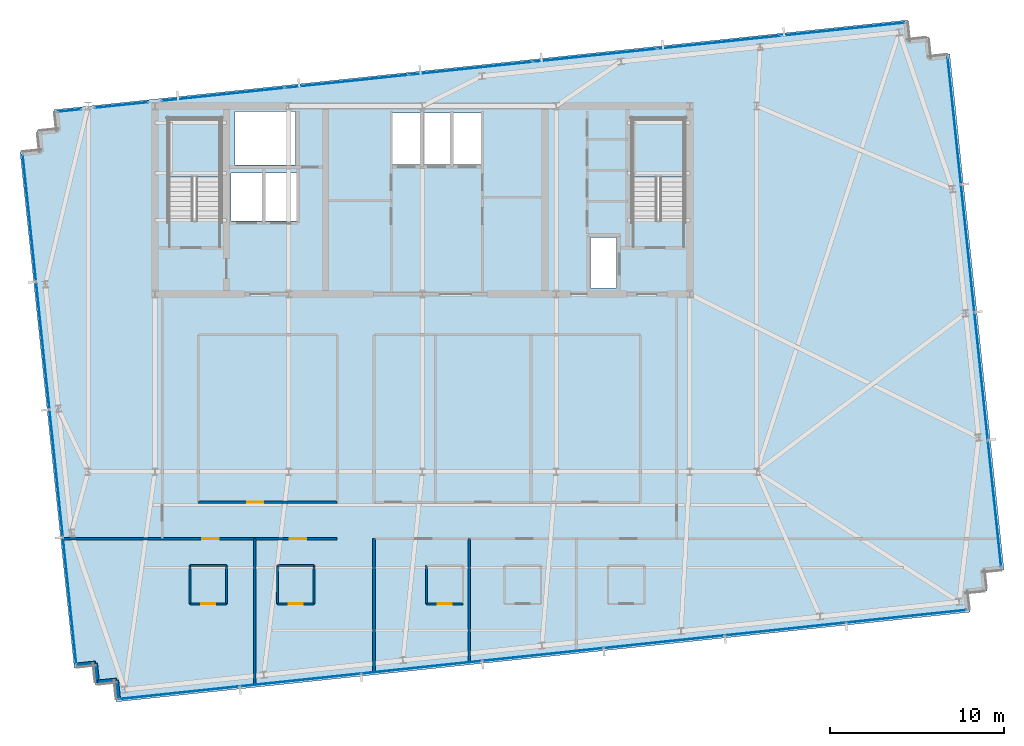
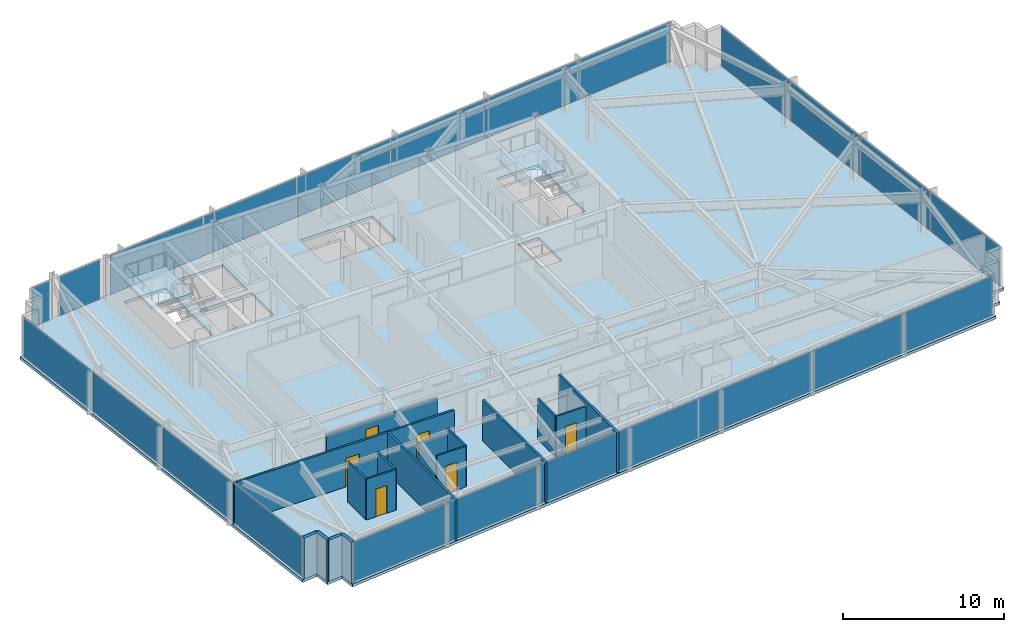
# One storey, part 26 of 33: 23 plates, 19 walls, 6 doors, 3 slabs, 6 openings, 8 elements without a shape of their own.
"""IFC4 building model written with IfcOpenShell, lengths in metres."""

import ifcopenshell
import ifcopenshell.guid

model = None  # the IFC model being written
_history = None  # IfcOwnerHistory: only IFC2X3 demands one
_inside = {}  # id of a spatial element -> (the spatial element, [elements in it])
_under = {}  # id of a project, library or spatial element -> (it, [spatial elements below it])
_declared = {}  # id of a project -> (the project, [libraries it declares])
_typed = {}  # id of a type object -> (the type object, [elements of that type])
_made_of = {}  # id of a material, layer set ... -> (it, [elements and type objects made of it])


def new_model(schema):
    """Start an empty IFC model of exactly this schema.

    Asked for "IFC4X3", IfcOpenShell would pick the latest addendum, in which some entities
    have other attributes; the version numbers below select the first issue.
    IFC2X3 requires an IfcOwnerHistory on every rooted entity: one is made here for all.
    """
    global model, _history
    if schema == "IFC4X3":
        model = ifcopenshell.file(schema_version=(4, 3, 0, 0))
    else:
        model = ifcopenshell.file(schema=schema)
    _inside.clear()
    _under.clear()
    _declared.clear()
    _typed.clear()
    _made_of.clear()
    _history = None
    if model.schema == "IFC2X3":
        org = make("IfcOrganization", Name="unknown")
        user = make(
            "IfcPersonAndOrganization",
            ThePerson=make("IfcPerson", FamilyName="unknown"),
            TheOrganization=org,
        )
        app = make(
            "IfcApplication",
            ApplicationDeveloper=org,
            Version="unknown",
            ApplicationFullName="unknown",
            ApplicationIdentifier="unknown",
        )
        _history = make(
            "IfcOwnerHistory",
            OwningUser=user,
            OwningApplication=app,
            ChangeAction="ADDED",
            CreationDate=0,
        )
    return model


def make(cls, **values):
    """One entity of the class cls with the attributes given. An attribute that is None is left unset."""
    return model.create_entity(
        cls, **{name: value for name, value in values.items() if value is not None}
    )


def rooted(cls, **values):
    """An entity with a GlobalId (a new one), such as an element, a storey or a relation."""
    return make(cls, GlobalId=ifcopenshell.guid.new(), OwnerHistory=_history, **values)


def si_unit(unit_type, name, prefix=None):
    """IfcSIUnit, for example si_unit("LENGTHUNIT", "METRE", prefix="MILLI")."""
    return make("IfcSIUnit", UnitType=unit_type, Prefix=prefix, Name=name)


def assignment(units):
    """IfcUnitAssignment: the units of a project."""
    return None if units is None else make("IfcUnitAssignment", Units=units)


def point(xyz):
    """IfcCartesianPoint."""
    return None if xyz is None else make("IfcCartesianPoint", Coordinates=xyz)


def direction(xyz):
    """IfcDirection."""
    return None if xyz is None else make("IfcDirection", DirectionRatios=xyz)


def frame(location, z_axis=None, x_axis=None):
    """IfcAxis2Placement3D, a coordinate frame: its origin and axes. An axis left out is left unset."""
    return make(
        "IfcAxis2Placement3D",
        Location=point(location),
        Axis=direction(z_axis),
        RefDirection=direction(x_axis),
    )


def frame_2d(location, x_axis=None):
    """IfcAxis2Placement2D, a coordinate frame in the plane: its origin and x axis."""
    return make(
        "IfcAxis2Placement2D", Location=point(location), RefDirection=direction(x_axis)
    )


def origin():
    """The frame at (0, 0, 0) with its axes left unset."""
    return frame((0.0, 0.0, 0.0))


def origin_2d():
    """The frame at (0, 0) in the plane with its x axis left unset."""
    return frame_2d((0.0, 0.0))


def place(relative_to, where):
    """IfcLocalPlacement: puts the frame where relative to a parent placement (None: the world)."""
    return make(
        "IfcLocalPlacement", PlacementRelTo=relative_to, RelativePlacement=where
    )


def context(
    kind, dimensions, precision=None, world=None, true_north=None, identifier=None
):
    """IfcGeometricRepresentationContext, for example the 3D "Model" context."""
    return make(
        "IfcGeometricRepresentationContext",
        ContextIdentifier=identifier,
        ContextType=kind,
        CoordinateSpaceDimension=dimensions,
        Precision=precision,
        WorldCoordinateSystem=world,
        TrueNorth=true_north,
    )


def subcontext(parent, identifier, kind, view, scale=None):
    """IfcGeometricRepresentationSubContext, for example "Body" below "Model"."""
    return make(
        "IfcGeometricRepresentationSubContext",
        ContextIdentifier=identifier,
        ContextType=kind,
        ParentContext=parent,
        TargetScale=scale,
        TargetView=view,
    )


def project(units=None, contexts=None):
    """IfcProject with its units and contexts."""
    return rooted(
        "IfcProject",
        Name="project",
        RepresentationContexts=contexts,
        UnitsInContext=assignment(units),
    )


def spatial(cls, under=None, at=None, **own):
    """A site, building, storey or space (cls), placed at a placement, below another one or the project."""
    s = rooted(cls, ObjectPlacement=at, **own)
    if under is not None:
        _under.setdefault(under.id(), (under, []))[1].append(s)
    return s


def polyline(points):
    """IfcPolyline through the points."""
    return make("IfcPolyline", Points=[point(p) for p in points])


def profile(cls, at=None, kind="AREA", **sizes):
    """A parametric profile (cls). Its sizes go by their IFC names, for example OverallWidth=200.0."""
    return make(cls, ProfileType=kind, Position=at, **sizes)


def rectangle(**sizes):
    """IfcRectangleProfileDef."""
    return profile("IfcRectangleProfileDef", **sizes)


def outline(outer, holes=None, kind="AREA"):
    """IfcArbitraryClosedProfileDef: a profile drawn as a closed curve; with holes, ...WithVoids."""
    if holes is None:
        return make("IfcArbitraryClosedProfileDef", ProfileType=kind, OuterCurve=outer)
    return make(
        "IfcArbitraryProfileDefWithVoids",
        ProfileType=kind,
        OuterCurve=outer,
        InnerCurves=holes,
    )


def extrude(swept, where, along, depth):
    """IfcExtrudedAreaSolid: the profile swept, set in the frame where, extruded along a direction by depth."""
    return make(
        "IfcExtrudedAreaSolid",
        SweptArea=swept,
        Position=where,
        ExtrudedDirection=direction(along),
        Depth=depth,
    )


def shape(context_of_items, identifier, shape_type, items):
    """IfcShapeRepresentation: the items that make up one representation, for example the "Body"."""
    return make(
        "IfcShapeRepresentation",
        ContextOfItems=context_of_items,
        RepresentationIdentifier=identifier,
        RepresentationType=shape_type,
        Items=items,
    )


def material(Name=None, Category=None):
    """IfcMaterial."""
    return make("IfcMaterial", Name=Name, Category=Category)


def layer(
    of_material, thickness, ventilated=None, Name=None, Category=None, Priority=None
):
    """IfcMaterialLayer: one layer of a wall or slab, of a material (None: an air gap)."""
    return make(
        "IfcMaterialLayer",
        Material=of_material,
        LayerThickness=thickness,
        IsVentilated=ventilated,
        Name=Name,
        Category=Category,
        Priority=Priority,
    )


def layer_set(layers, Name=None):
    """IfcMaterialLayerSet."""
    return make("IfcMaterialLayerSet", MaterialLayers=layers, LayerSetName=Name)


def made_of(thing, what):
    """Note that an element or type object is made of a material, layer set ...; save() writes the relation."""
    if what is not None:
        _made_of.setdefault(what.id(), (what, []))[1].append(thing)
    return thing


def type_object(cls, material=None, **own):
    """A type object (cls), such as IfcWallType, which elements share."""
    return made_of(rooted(cls, **own), material)


def element(
    cls,
    number,
    at=None,
    inside=None,
    cuts=None,
    type_object=None,
    material=None,
    context=None,
    identifier="Body",
    shape_type=None,
    held_by="IfcProductDefinitionShape",
    body=None,
    shapes=None,
    **own,
):
    """One element of the class cls, such as IfcWall. Its Tag is "e" and its number.

    at: its placement. inside: the storey or other place that contains it. cuts: it is an
    opening in that element (IfcRelVoidsElement). A single representation is given by context,
    identifier, shape_type and body (its items); several are given by shapes. held_by: the class
    of the entity that holds the representations. save() writes the other relations.
    """
    e = rooted(cls, Tag="e%d" % number, ObjectPlacement=at, **own)
    if body is not None:
        shapes = [shape(context, identifier, shape_type, body)]
    if shapes is not None:
        e.Representation = make(held_by, Representations=shapes)
    if inside is not None:
        _inside.setdefault(inside.id(), (inside, []))[1].append(e)
    if cuts is not None:
        rooted(
            "IfcRelVoidsElement", RelatingBuildingElement=cuts, RelatedOpeningElement=e
        )
    if type_object is not None:
        _typed.setdefault(type_object.id(), (type_object, []))[1].append(e)
    return made_of(e, material)


def fill(opening, filler):
    """IfcRelFillsElement: the door or window that sits in an opening."""
    return rooted(
        "IfcRelFillsElement",
        RelatingOpeningElement=opening,
        RelatedBuildingElement=filler,
    )


def aggregate(whole, parts):
    """IfcRelAggregates: a whole, such as a stair, and the parts it consists of."""
    return rooted("IfcRelAggregates", RelatingObject=whole, RelatedObjects=parts)


def save(model, path):
    """Write the relations noted so far, then the file.

    IfcRelAggregates (storeys below a building ...), IfcRelContainedInSpatialStructure (elements
    in a storey), IfcRelDefinesByType, IfcRelAssociatesMaterial and IfcRelDeclares: one each for
    every whole, place, type object, material and project.
    """
    for whole, parts in _under.values():
        aggregate(whole, parts)
    for where, things in _inside.values():
        rooted(
            "IfcRelContainedInSpatialStructure",
            RelatedElements=things,
            RelatingStructure=where,
        )
    for kind, things in _typed.values():
        rooted("IfcRelDefinesByType", RelatedObjects=things, RelatingType=kind)
    for what, things in _made_of.values():
        rooted("IfcRelAssociatesMaterial", RelatedObjects=things, RelatingMaterial=what)
    for by, libraries in _declared.values():
        rooted("IfcRelDeclares", RelatingContext=by, RelatedDefinitions=libraries)
    model.write(path)


model = new_model("IFC4")

# Units and contexts
model_context = context("Model", 3, precision=1e-05, world=origin(), true_north=direction((0.0, 1.0)))
body_context = subcontext(model_context, "Body", "Model", "MODEL_VIEW")
ifc_project = project(units=[si_unit("LENGTHUNIT", "METRE"), si_unit("AREAUNIT", "SQUARE_METRE"), si_unit("VOLUMEUNIT", "CUBIC_METRE"), si_unit("PLANEANGLEUNIT", "RADIAN"), si_unit("MASSUNIT", "GRAM", prefix="KILO")], contexts=[model_context])

# Site, building, storey
site_placement = place(None, origin())
site = spatial("IfcSite", under=ifc_project, at=site_placement, CompositionType="ELEMENT")
building_placement = place(site_placement, origin())
building = spatial("IfcBuilding", under=site, at=building_placement, Name="Yelkora Congress Tower", CompositionType="ELEMENT")
storey_placement = place(building_placement, frame((0.0, 0.0, 234.199951171875)))
storey = spatial("IfcBuildingStorey", under=building, at=storey_placement, Name="L65", CompositionType="ELEMENT", Elevation=234.199951171875)

# Curtain wall, plates
ifc_material_1 = material(Name="Anodised aluminium and insulated glass", Category="aluminium")
curtain_wall_type = type_object("IfcCurtainWallType", Name="CW-SYS-B4", PredefinedType="NOTDEFINED", material=ifc_material_1)
curtain_wall_1_placement = place(storey_placement, origin())
curtain_wall_1 = element("IfcCurtainWall", 1, at=curtain_wall_1_placement, inside=storey, type_object=curtain_wall_type, Name="L65 Unitised Curtain Wall 5", PredefinedType="NOTDEFINED")
ifc_material_2 = material(Name="Triple-silver diplomatic glass unit B4", Category="glass")
ifc_layer_1 = layer(ifc_material_2, 0.035888671875)
ifc_layer_set_1 = layer_set([ifc_layer_1], Name="Triple-silver diplomatic glass unit B4")
plate_type = type_object("IfcPlateType", Name="PLT-PN-B4", PredefinedType="CURTAIN_PANEL", material=ifc_layer_set_1)
plate_1_placement = place(storey_placement, frame((18.139404296875, 17.7724609375, 0.06005859375), z_axis=(0.0, 0.0, 1.0), x_axis=(-0.104526079034, 0.994522145958, 0.0)))
plate_1 = element("IfcPlate", 2, at=plate_1_placement, type_object=plate_type, Name="CW-B4 panel 1.1", PredefinedType="CURTAIN_PANEL", context=body_context, shape_type="SweptSolid", body=[
    extrude(rectangle(XDim=7.282470703125, YDim=0.035888671875, at=origin_2d()), origin(), (0.0, 0.0, 1.0), 2.9599609375),
])
plate_2_placement = place(storey_placement, frame((17.36962890625, 25.095703125, 0.06005859375), z_axis=(0.0, 0.0, 1.0), x_axis=(-0.104526079034, 0.994522145958, 0.0)))
plate_2 = element("IfcPlate", 3, at=plate_2_placement, type_object=plate_type, Name="CW-B4 panel 2.1", PredefinedType="CURTAIN_PANEL", context=body_context, shape_type="SweptSolid", body=[
    extrude(rectangle(XDim=7.31494140625, YDim=0.035888671875, at=origin_2d()), origin(), (0.0, 0.0, 1.0), 2.9599609375),
])
plate_3_placement = place(storey_placement, frame((16.59814453125, 32.435302734375, 0.06005859375), z_axis=(0.0, 0.0, 1.0), x_axis=(-0.104526079034, 0.994522145958, 0.0)))
plate_3 = element("IfcPlate", 4, at=plate_3_placement, type_object=plate_type, Name="CW-B4 panel 3.1", PredefinedType="CURTAIN_PANEL", context=body_context, shape_type="SweptSolid", body=[
    extrude(rectangle(XDim=7.31494140625, YDim=0.035888671875, at=origin_2d()), origin(), (0.0, 0.0, 1.0), 2.9599609375),
])
plate_4_placement = place(storey_placement, frame((15.82861328125, 39.7587890625, 0.06005859375), z_axis=(0.0, 0.0, 1.0), x_axis=(-0.104526079034, 0.994522145958, 0.0)))
plate_4 = element("IfcPlate", 5, at=plate_4_placement, type_object=plate_type, Name="CW-B4 panel 4.1", PredefinedType="CURTAIN_PANEL", context=body_context, shape_type="SweptSolid", body=[
    extrude(rectangle(XDim=7.282470703125, YDim=0.035888671875, at=origin_2d()), origin(), (0.0, 0.0, 1.0), 2.9599609375),
])
aggregate(curtain_wall_1, [plate_1, plate_2, plate_3, plate_4])

# Curtain wall, plate
curtain_wall_2_placement = place(storey_placement, origin())
curtain_wall_2 = element("IfcCurtainWall", 6, at=curtain_wall_2_placement, inside=storey, type_object=curtain_wall_type, Name="L65 Unitised Curtain Wall 10 (1)", PredefinedType="NOTDEFINED")
plate_5_placement = place(storey_placement, frame((18.136474609375, 45.940185546875, 0.06005859375), z_axis=(0.0, 0.0, 1.0), x_axis=(0.994523910137, 0.104509292244, 0.0)))
plate_5 = element("IfcPlate", 7, at=plate_5_placement, type_object=plate_type, Name="CW-B4 panel 1.1", PredefinedType="CURTAIN_PANEL", context=body_context, shape_type="SweptSolid", body=[
    extrude(rectangle(XDim=1.35302734375, YDim=0.035888671875, at=origin_2d()), origin(), (0.0, 0.0, 1.0), 2.9599609375),
])
aggregate(curtain_wall_2, [plate_5])

curtain_wall_3_placement = place(storey_placement, origin())
curtain_wall_3 = element("IfcCurtainWall", 8, at=curtain_wall_3_placement, inside=storey, type_object=curtain_wall_type, Name="L65 Unitised Curtain Wall 10 (2)", PredefinedType="NOTDEFINED")
plate_6_placement = place(storey_placement, frame((21.1201171875, 46.253662109375, 0.06005859375), z_axis=(0.0, 0.0, 1.0), x_axis=(0.994524239868, 0.104506154437, 0.0)))
plate_6 = element("IfcPlate", 9, at=plate_6_placement, type_object=plate_type, Name="CW-B4 panel 1.1", PredefinedType="CURTAIN_PANEL", context=body_context, shape_type="SweptSolid", body=[
    extrude(rectangle(XDim=3.075439453125, YDim=0.035888671875, at=origin_2d()), origin(), (0.0, 0.0, 1.0), 2.9599609375),
])
aggregate(curtain_wall_3, [plate_6])

# Curtain wall, plates
curtain_wall_4_placement = place(storey_placement, origin())
curtain_wall_4 = element("IfcCurtainWall", 10, at=curtain_wall_4_placement, inside=storey, type_object=curtain_wall_type, Name="L65 Unitised Curtain Wall 10 (3)", PredefinedType="NOTDEFINED")
plate_7_placement = place(storey_placement, frame((26.947509765625, 46.8662109375, 0.06005859375), z_axis=(0.0, 0.0, 1.0), x_axis=(0.994521973066, 0.104527724021, 0.0)))
plate_7 = element("IfcPlate", 11, at=plate_7_placement, type_object=plate_type, Name="CW-B4 panel 1.1", PredefinedType="CURTAIN_PANEL", context=body_context, shape_type="SweptSolid", body=[
    extrude(rectangle(XDim=7.072509765625, YDim=0.035888671875, at=origin_2d()), origin(), (0.0, 0.0, 1.0), 2.9599609375),
])
plate_8_placement = place(storey_placement, frame((34.06201171875, 47.614013671875, 0.06005859375), z_axis=(0.0, 0.0, 1.0), x_axis=(0.994521973066, 0.104527724021, 0.0)))
plate_8 = element("IfcPlate", 12, at=plate_8_placement, type_object=plate_type, Name="CW-B4 panel 2.1", PredefinedType="CURTAIN_PANEL", context=body_context, shape_type="SweptSolid", body=[
    extrude(rectangle(XDim=7.10498046875, YDim=0.035888671875, at=origin_2d()), origin(), (0.0, 0.0, 1.0), 2.9599609375),
])
plate_9_placement = place(storey_placement, frame((41.19287109375, 48.363525390625, 0.06005859375), z_axis=(0.0, 0.0, 1.0), x_axis=(0.994521973066, 0.104527724021, 0.0)))
plate_9 = element("IfcPlate", 13, at=plate_9_placement, type_object=plate_type, Name="CW-B4 panel 3.1", PredefinedType="CURTAIN_PANEL", context=body_context, shape_type="SweptSolid", body=[
    extrude(rectangle(XDim=7.10498046875, YDim=0.035888671875, at=origin_2d()), origin(), (0.0, 0.0, 1.0), 2.9599609375),
])
plate_10_placement = place(storey_placement, frame((48.32373046875, 49.113037109375, 0.06005859375), z_axis=(0.0, 0.0, 1.0), x_axis=(0.994521973066, 0.104527724021, 0.0)))
plate_10 = element("IfcPlate", 14, at=plate_10_placement, type_object=plate_type, Name="CW-B4 panel 4.1", PredefinedType="CURTAIN_PANEL", context=body_context, shape_type="SweptSolid", body=[
    extrude(rectangle(XDim=7.10498046875, YDim=0.035888671875, at=origin_2d()), origin(), (0.0, 0.0, 1.0), 2.9599609375),
])
plate_11_placement = place(storey_placement, frame((55.454345703125, 49.8623046875, 0.06005859375), z_axis=(0.0, 0.0, 1.0), x_axis=(0.994521973066, 0.104527724021, 0.0)))
plate_11 = element("IfcPlate", 15, at=plate_11_placement, type_object=plate_type, Name="CW-B4 panel 5.1", PredefinedType="CURTAIN_PANEL", context=body_context, shape_type="SweptSolid", body=[
    extrude(rectangle(XDim=7.10498046875, YDim=0.035888671875, at=origin_2d()), origin(), (0.0, 0.0, 1.0), 2.9599609375),
])
plate_12_placement = place(storey_placement, frame((62.56884765625, 50.610107421875, 0.06005859375), z_axis=(0.0, 0.0, 1.0), x_axis=(0.994521973066, 0.104527724021, 0.0)))
plate_12 = element("IfcPlate", 16, at=plate_12_placement, type_object=plate_type, Name="CW-B4 panel 6.1", PredefinedType="CURTAIN_PANEL", context=body_context, shape_type="SweptSolid", body=[
    extrude(rectangle(XDim=7.072509765625, YDim=0.035888671875, at=origin_2d()), origin(), (0.0, 0.0, 1.0), 2.9599609375),
])
aggregate(curtain_wall_4, [plate_7, plate_8, plate_9, plate_10, plate_11, plate_12])

curtain_wall_5_placement = place(storey_placement, origin())
curtain_wall_5 = element("IfcCurtainWall", 17, at=curtain_wall_5_placement, inside=storey, type_object=curtain_wall_type, Name="L65 Unitised Curtain Wall 15", PredefinedType="NOTDEFINED")
plate_13_placement = place(storey_placement, frame((68.955810546875, 45.3427734375, 0.06005859375), z_axis=(0.0, 0.0, 1.0), x_axis=(0.104525726898, -0.994522182968, 0.0)))
plate_13 = element("IfcPlate", 18, at=plate_13_placement, type_object=plate_type, Name="CW-B4 panel 1.1", PredefinedType="CURTAIN_PANEL", context=body_context, shape_type="SweptSolid", body=[
    extrude(rectangle(XDim=7.282470703125, YDim=0.035888671875, at=origin_2d()), origin(), (0.0, 0.0, 1.0), 2.9599609375),
])
plate_14_placement = place(storey_placement, frame((69.7255859375, 38.019287109375, 0.06005859375), z_axis=(0.0, 0.0, 1.0), x_axis=(0.104525726898, -0.994522182968, 0.0)))
plate_14 = element("IfcPlate", 19, at=plate_14_placement, type_object=plate_type, Name="CW-B4 panel 2.1", PredefinedType="CURTAIN_PANEL", context=body_context, shape_type="SweptSolid", body=[
    extrude(rectangle(XDim=7.31494140625, YDim=0.035888671875, at=origin_2d()), origin(), (0.0, 0.0, 1.0), 2.9599609375),
])
plate_15_placement = place(storey_placement, frame((70.496826171875, 30.6796875, 0.06005859375), z_axis=(0.0, 0.0, 1.0), x_axis=(0.104525726898, -0.994522182968, 0.0)))
plate_15 = element("IfcPlate", 20, at=plate_15_placement, type_object=plate_type, Name="CW-B4 panel 3.1", PredefinedType="CURTAIN_PANEL", context=body_context, shape_type="SweptSolid", body=[
    extrude(rectangle(XDim=7.31494140625, YDim=0.035888671875, at=origin_2d()), origin(), (0.0, 0.0, 1.0), 2.9599609375),
])
plate_16_placement = place(storey_placement, frame((71.2666015625, 23.356201171875, 0.06005859375), z_axis=(0.0, 0.0, 1.0), x_axis=(0.104525726898, -0.994522182968, 0.0)))
plate_16 = element("IfcPlate", 21, at=plate_16_placement, type_object=plate_type, Name="CW-B4 panel 4.1", PredefinedType="CURTAIN_PANEL", context=body_context, shape_type="SweptSolid", body=[
    extrude(rectangle(XDim=7.282470703125, YDim=0.035888671875, at=origin_2d()), origin(), (0.0, 0.0, 1.0), 2.9599609375),
])
aggregate(curtain_wall_5, [plate_13, plate_14, plate_15, plate_16])

curtain_wall_6_placement = place(storey_placement, origin())
curtain_wall_6 = element("IfcCurtainWall", 22, at=curtain_wall_6_placement, inside=storey, type_object=curtain_wall_type, Name="L65 Unitised Curtain Wall 20", PredefinedType="NOTDEFINED")
plate_17_placement = place(storey_placement, frame((66.19775390625, 16.884765625, 0.06005859375), z_axis=(0.0, 0.0, 1.0), x_axis=(-0.994522084373, -0.104526664994, 0.0)))
plate_17 = element("IfcPlate", 23, at=plate_17_placement, type_object=plate_type, Name="CW-B4 panel 1.1", PredefinedType="CURTAIN_PANEL", context=body_context, shape_type="SweptSolid", body=[
    extrude(rectangle(XDim=6.9052734375, YDim=0.035888671875, at=origin_2d()), origin(), (0.0, 0.0, 1.0), 2.9599609375),
])
plate_18_placement = place(storey_placement, frame((59.249267578125, 16.154541015625, 0.06005859375), z_axis=(0.0, 0.0, 1.0), x_axis=(-0.994522084373, -0.104526664994, 0.0)))
plate_18 = element("IfcPlate", 24, at=plate_18_placement, type_object=plate_type, Name="CW-B4 panel 2.1", PredefinedType="CURTAIN_PANEL", context=body_context, shape_type="SweptSolid", body=[
    extrude(rectangle(XDim=6.937744140625, YDim=0.035888671875, at=origin_2d()), origin(), (0.0, 0.0, 1.0), 2.9599609375),
])
plate_19_placement = place(storey_placement, frame((52.284912109375, 15.42236328125, 0.06005859375), z_axis=(0.0, 0.0, 1.0), x_axis=(-0.994522084373, -0.104526664994, 0.0)))
plate_19 = element("IfcPlate", 25, at=plate_19_placement, type_object=plate_type, Name="CW-B4 panel 3.1", PredefinedType="CURTAIN_PANEL", context=body_context, shape_type="SweptSolid", body=[
    extrude(rectangle(XDim=6.937744140625, YDim=0.035888671875, at=origin_2d()), origin(), (0.0, 0.0, 1.0), 2.9599609375),
])
plate_20_placement = place(storey_placement, frame((45.3203125, 14.6904296875, 0.06005859375), z_axis=(0.0, 0.0, 1.0), x_axis=(-0.994522084373, -0.104526664994, 0.0)))
plate_20 = element("IfcPlate", 26, at=plate_20_placement, type_object=plate_type, Name="CW-B4 panel 4.1", PredefinedType="CURTAIN_PANEL", context=body_context, shape_type="SweptSolid", body=[
    extrude(rectangle(XDim=6.937744140625, YDim=0.035888671875, at=origin_2d()), origin(), (0.0, 0.0, 1.0), 2.9599609375),
])
plate_21_placement = place(storey_placement, frame((38.35595703125, 13.95849609375, 0.06005859375), z_axis=(0.0, 0.0, 1.0), x_axis=(-0.994522084373, -0.104526664994, 0.0)))
plate_21 = element("IfcPlate", 27, at=plate_21_placement, type_object=plate_type, Name="CW-B4 panel 5.1", PredefinedType="CURTAIN_PANEL", context=body_context, shape_type="SweptSolid", body=[
    extrude(rectangle(XDim=6.937744140625, YDim=0.035888671875, at=origin_2d()), origin(), (0.0, 0.0, 1.0), 2.9599609375),
])
plate_22_placement = place(storey_placement, frame((31.391357421875, 13.2265625, 0.06005859375), z_axis=(0.0, 0.0, 1.0), x_axis=(-0.994522084373, -0.104526664994, 0.0)))
plate_22 = element("IfcPlate", 28, at=plate_22_placement, type_object=plate_type, Name="CW-B4 panel 6.1", PredefinedType="CURTAIN_PANEL", context=body_context, shape_type="SweptSolid", body=[
    extrude(rectangle(XDim=6.937744140625, YDim=0.035888671875, at=origin_2d()), origin(), (0.0, 0.0, 1.0), 2.9599609375),
])
plate_23_placement = place(storey_placement, frame((24.443115234375, 12.49609375, 0.06005859375), z_axis=(0.0, 0.0, 1.0), x_axis=(-0.994522084373, -0.104526664994, 0.0)))
plate_23 = element("IfcPlate", 29, at=plate_23_placement, type_object=plate_type, Name="CW-B4 panel 7.1", PredefinedType="CURTAIN_PANEL", context=body_context, shape_type="SweptSolid", body=[
    extrude(rectangle(XDim=6.9052734375, YDim=0.035888671875, at=origin_2d()), origin(), (0.0, 0.0, 1.0), 2.9599609375),
])
aggregate(curtain_wall_6, [plate_17, plate_18, plate_19, plate_20, plate_21, plate_22, plate_23])

# Stair, slab
ifc_material_3 = material(Name="Concrete C40/50", Category="concrete")
stair_type = type_object("IfcStairType", Name="STAIR-HT-1420-R20-165", PredefinedType="HALF_TURN_STAIR", material=ifc_material_3)
stair_1_placement = place(storey_placement, origin())
stair_1 = element("IfcStair", 30, at=stair_1_placement, inside=storey, type_object=stair_type, Name="West Core Protected Exit Stair ST-01 (L65)", PredefinedType="HALF_TURN_STAIR")
ifc_layer_2 = layer(ifc_material_3, 0.219970703125)
ifc_layer_set_2 = layer_set([ifc_layer_2], Name="Concrete C40/50")
slab_type_1 = type_object("IfcSlabType", Name="SLAB-LANDING-220", PredefinedType="LANDING", material=ifc_layer_set_2)
slab_1_placement = place(storey_placement, frame((0.0, 0.0, 1.429931640625)))
slab_1 = element("IfcSlab", 31, at=slab_1_placement, type_object=slab_type_1, Name="ST-01 L65 Half Landing 1", PredefinedType="LANDING", context=body_context, shape_type="SweptSolid", body=[
    extrude(outline(polyline([(26.820068359375, 42.1201171875), (26.820068359375, 45.469970703125), (23.820068359375, 45.469970703125), (23.820068359375, 42.1201171875), (26.820068359375, 42.1201171875)])), origin(), (0.0, 0.0, 1.0), 0.22021484375),
])
aggregate(stair_1, [slab_1])

stair_2_placement = place(storey_placement, origin())
stair_2 = element("IfcStair", 32, at=stair_2_placement, inside=storey, type_object=stair_type, Name="East Core Protected Exit Stair ST-02 (L65)", PredefinedType="HALF_TURN_STAIR")
slab_2_placement = place(storey_placement, frame((0.0, 0.0, 1.429931640625)))
slab_2 = element("IfcSlab", 33, at=slab_2_placement, type_object=slab_type_1, Name="ST-02 L65 Half Landing 1", PredefinedType="LANDING", context=body_context, shape_type="SweptSolid", body=[
    extrude(outline(polyline([(53.4599609375, 42.1201171875), (53.4599609375, 45.469970703125), (50.4599609375, 45.469970703125), (50.4599609375, 42.1201171875), (53.4599609375, 42.1201171875)])), origin(), (0.0, 0.0, 1.0), 0.22021484375),
])
aggregate(stair_2, [slab_2])

# Slab
ifc_layer_3 = layer(ifc_material_3, 0.219970703125)
ifc_layer_set_3 = layer_set([ifc_layer_3], Name="Concrete C40/50")
slab_type_2 = type_object("IfcSlabType", Name="SLAB-TWR-220", PredefinedType="FLOOR", material=ifc_layer_set_3)
slab_3_placement = place(storey_placement, frame((0.0, 0.0, -0.219970703125)))
element("IfcSlab", 34, at=slab_3_placement, inside=storey, type_object=slab_type_2, Name="L65 Structural Floor Slab", PredefinedType="FLOOR", context=body_context, shape_type="SweptSolid", body=[
    extrude(outline(polyline([(20.820068359375, 11.974609375), (69.85009765625, 17.127685546875), (69.735107421875, 18.2216796875), (70.828857421875, 18.3369140625), (70.714111328125, 19.430908203125), (71.807861328125, 19.545654296875), (68.693115234375, 49.1826171875), (67.59912109375, 49.0673828125), (67.48388671875, 50.16162109375), (66.39013671875, 50.04638671875), (66.275146484375, 51.140380859375), (17.2451171875, 45.9873046875), (17.360107421875, 44.893310546875), (16.26611328125, 44.7783203125), (16.381103515625, 43.684326171875), (15.287109375, 43.5693359375), (18.402099609375, 13.9326171875), (19.49609375, 14.047607421875), (19.611083984375, 12.95361328125), (20.705078125, 13.068603515625), (20.820068359375, 11.974609375)]), holes=[polyline([(23.820068359375, 39.6298828125), (26.820068359375, 39.6298828125), (26.820068359375, 45.469970703125), (23.820068359375, 45.469970703125), (23.820068359375, 39.6298828125)]), polyline([(50.4599609375, 39.6298828125), (53.4599609375, 39.6298828125), (53.4599609375, 45.469970703125), (50.4599609375, 45.469970703125), (50.4599609375, 39.6298828125)]), polyline([(48.050048828125, 35.75), (49.550048828125, 35.75), (49.550048828125, 38.64990234375), (48.050048828125, 38.64990234375), (48.050048828125, 35.75)]), polyline([(36.64990234375, 42.85009765625), (41.800048828125, 42.85009765625), (41.800048828125, 45.800048828125), (36.64990234375, 45.800048828125), (36.64990234375, 42.85009765625)]), polyline([(27.419921875, 39.60009765625), (31.179931640625, 39.60009765625), (31.179931640625, 42.35009765625), (27.419921875, 42.35009765625), (27.419921875, 39.60009765625)]), polyline([(27.64990234375, 42.820068359375), (31.1201171875, 42.820068359375), (31.1201171875, 45.8798828125), (27.64990234375, 45.8798828125), (27.64990234375, 42.820068359375)])]), origin(), (0.0, 0.0, 1.0), 0.219970703125),
])

# Walls
ifc_layer_4 = layer(ifc_material_3, 0.239990234375)
ifc_layer_set_4 = layer_set([ifc_layer_4], Name="Concrete C40/50")
wall_type_1 = type_object("IfcWallType", Name="WALL-EXT-LIMESTONE-240", PredefinedType="SOLIDWALL", material=ifc_layer_set_4)
for number, where, z_axis, x_axis, name in (
    (35, (20.944580078125, 12.12841796875, 0.0), (0.0, 0.0, 1.0), (-0.104534592565, 0.994521251134, 0.0), "L65 Serrated Corner Limestone Pier 1"),
    (36, (20.82958984375, 13.222412109375, 0.0), (0.0, 0.0, 1.0), (-0.994521251134, -0.104534592565, 0.0), "L65 Serrated Corner Limestone Pier 2"),
    (37, (19.735595703125, 13.107421875, 0.0), (0.0, 0.0, 1.0), (-0.104534592565, 0.994521251134, 0.0), "L65 Serrated Corner Limestone Pier 3"),
    (38, (19.62060546875, 14.201416015625, 0.0), (0.0, 0.0, 1.0), (-0.994521251134, -0.104534592565, 0.0), "L65 Serrated Corner Limestone Pier 4"),
):
    element("IfcWall", number, at=place(storey_placement, frame(where, z_axis=z_axis, x_axis=x_axis)), inside=storey, type_object=wall_type_1, Name=name, PredefinedType="SOLIDWALL", context=body_context, shape_type="SweptSolid", body=[
        extrude(rectangle(XDim=1.10009765625, YDim=0.239990234375, at=frame_2d((0.550048828125, 0.0))), origin(), (0.0, 0.0, 1.0), 3.080078125),
    ])
ifc_material_4 = material(Name="Moisture-resistant gypsum partition", Category="gypsum")
ifc_layer_5 = layer(ifc_material_4, 0.1201171875)
ifc_layer_set_5 = layer_set([ifc_layer_5], Name="Moisture-resistant gypsum partition")
wall_type_2 = type_object("IfcWallType", Name="WALL-INT-120-NR", PredefinedType="PARTITIONING", material=ifc_layer_set_5)
wall_1_placement = place(storey_placement, frame((25.06005859375, 19.800048828125, 0.0), z_axis=(0.0, 0.0, 1.0), x_axis=(1.0, 0.0, 0.0)))
element("IfcWall", 39, at=wall_1_placement, inside=storey, type_object=wall_type_2, Name="L65 Partition Wall 24", PredefinedType="PARTITIONING", context=body_context, shape_type="SweptSolid", body=[
    extrude(rectangle(XDim=2.099853515625, YDim=0.1201171875, at=frame_2d((1.0498046875, 0.0))), origin(), (0.0, 0.0, 1.0), 2.715087890625),
])
for number, where, z_axis, x_axis, name in (
    (40, (25.06005859375, 17.60009765625, 0.0), (0.0, 0.0, 1.0), (0.0, 1.0, 0.0), "L65 Partition Wall 25"),
    (41, (27.159912109375, 17.60009765625, 0.0), (0.0, 0.0, 1.0), (0.0, 1.0, 0.0), "L65 Partition Wall 26"),
):
    element("IfcWall", number, at=place(storey_placement, frame(where, z_axis=z_axis, x_axis=x_axis)), inside=storey, type_object=wall_type_2, Name=name, PredefinedType="PARTITIONING", context=body_context, shape_type="SweptSolid", body=[
        extrude(rectangle(XDim=2.199951171875, YDim=0.1201171875, at=frame_2d((1.10009765625, 0.0))), origin(), (0.0, 0.0, 1.0), 3.080078125),
    ])

# Wall, opening, door
wall_2_placement = place(storey_placement, frame((25.06005859375, 17.60009765625, 0.0), z_axis=(0.0, 0.0, 1.0), x_axis=(1.0, 0.0, 0.0)))
wall_2 = element("IfcWall", 42, at=wall_2_placement, inside=storey, type_object=wall_type_2, Name="L65 Partition Wall 27", PredefinedType="PARTITIONING", context=body_context, shape_type="SweptSolid", body=[
    extrude(rectangle(XDim=2.099853515625, YDim=0.1201171875, at=frame_2d((1.0498046875, 0.0))), origin(), (0.0, 0.0, 1.0), 3.080078125),
])
opening_1_placement = place(wall_2_placement, frame((0.64990234375, 0.0, 0.0)))
opening_1 = element("IfcOpeningElement", 43, at=opening_1_placement, cuts=wall_2, Name="Opening DR-080B", PredefinedType="OPENING", context=body_context, shape_type="SweptSolid", body=[
    extrude(rectangle(XDim=0.800048828125, YDim=2.10009765625, at=frame_2d((0.39990234375, 1.050048828125))), frame((0.0, 0.070068359375, 0.0), z_axis=(0.0, -1.0, 0.0), x_axis=(1.0, 0.0, 0.0)), (0.0, 0.0, 1.0), 0.14013671875),
])
ifc_material_5 = material(Name="Moisture-sealed en-suite timber door", Category="wood")
door_type_1 = type_object("IfcDoorType", Name="DOOR-BATH-800", OperationType="NOTDEFINED", PredefinedType="DOOR", material=ifc_material_5)
door_1_placement = place(opening_1_placement, origin())
door_1 = element("IfcDoor", 44, at=door_1_placement, inside=storey, type_object=door_type_1, Name="L65 En-suite Door 1", OperationType="SINGLE_SWING_LEFT", OverallHeight=2.10009765625, OverallWidth=0.800048828125, PredefinedType="DOOR", context=body_context, shape_type="SweptSolid", body=[
    extrude(rectangle(XDim=0.800048828125, YDim=2.10009765625, at=frame_2d((0.39990234375, 1.050048828125))), frame((0.0, 0.02490234375, 0.0), z_axis=(0.0, -1.0, 0.0), x_axis=(1.0, 0.0, 0.0)), (0.0, 0.0, 1.0), 0.050048828125),
])
fill(opening_1, door_1)

# Walls
wall_3_placement = place(storey_placement, frame((30.080078125, 19.800048828125, 0.0), z_axis=(0.0, 0.0, 1.0), x_axis=(1.0, 0.0, 0.0)))
element("IfcWall", 45, at=wall_3_placement, inside=storey, type_object=wall_type_2, Name="L65 Partition Wall 28", PredefinedType="PARTITIONING", context=body_context, shape_type="SweptSolid", body=[
    extrude(rectangle(XDim=2.099853515625, YDim=0.1201171875, at=frame_2d((1.0498046875, 0.0))), origin(), (0.0, 0.0, 1.0), 2.715087890625),
])
wall_4_placement = place(storey_placement, frame((30.080078125, 17.60009765625, 0.0), z_axis=(0.0, 0.0, 1.0), x_axis=(0.0, 1.0, 0.0)))
element("IfcWall", 46, at=wall_4_placement, inside=storey, type_object=wall_type_2, Name="L65 Partition Wall 29", PredefinedType="PARTITIONING", context=body_context, shape_type="SweptSolid", body=[
    extrude(rectangle(XDim=2.199951171875, YDim=0.1201171875, at=frame_2d((1.10009765625, 0.0))), origin(), (0.0, 0.0, 1.0), 2.31298828125),
])
wall_5_placement = place(storey_placement, frame((32.179931640625, 17.60009765625, 0.0), z_axis=(0.0, 0.0, 1.0), x_axis=(0.0, 1.0, 0.0)))
element("IfcWall", 47, at=wall_5_placement, inside=storey, type_object=wall_type_2, Name="L65 Partition Wall 30", PredefinedType="PARTITIONING", context=body_context, shape_type="SweptSolid", body=[
    extrude(rectangle(XDim=2.199951171875, YDim=0.1201171875, at=frame_2d((1.10009765625, 0.0))), origin(), (0.0, 0.0, 1.0), 3.080078125),
])

# Wall, opening, door
wall_6_placement = place(storey_placement, frame((30.080078125, 17.60009765625, 0.0), z_axis=(0.0, 0.0, 1.0), x_axis=(1.0, 0.0, 0.0)))
wall_6 = element("IfcWall", 48, at=wall_6_placement, inside=storey, type_object=wall_type_2, Name="L65 Partition Wall 31", PredefinedType="PARTITIONING", context=body_context, shape_type="SweptSolid", body=[
    extrude(rectangle(XDim=2.099853515625, YDim=0.1201171875, at=frame_2d((1.0498046875, 0.0))), origin(), (0.0, 0.0, 1.0), 3.080078125),
])
opening_2_placement = place(wall_6_placement, frame((0.64990234375, 0.0, 0.0)))
opening_2 = element("IfcOpeningElement", 49, at=opening_2_placement, cuts=wall_6, Name="Opening DR-080B", PredefinedType="OPENING", context=body_context, shape_type="SweptSolid", body=[
    extrude(rectangle(XDim=0.800048828125, YDim=2.10009765625, at=frame_2d((0.39990234375, 1.050048828125))), frame((0.0, 0.070068359375, 0.0), z_axis=(0.0, -1.0, 0.0), x_axis=(1.0, 0.0, 0.0)), (0.0, 0.0, 1.0), 0.14013671875),
])
door_2_placement = place(opening_2_placement, origin())
door_2 = element("IfcDoor", 50, at=door_2_placement, inside=storey, type_object=door_type_1, Name="L65 En-suite Door 2", OperationType="SINGLE_SWING_RIGHT", OverallHeight=2.10009765625, OverallWidth=0.800048828125, PredefinedType="DOOR", context=body_context, shape_type="SweptSolid", body=[
    extrude(rectangle(XDim=0.800048828125, YDim=2.10009765625, at=frame_2d((0.39990234375, 1.050048828125))), frame((0.0, 0.02490234375, 0.0), z_axis=(0.0, -1.0, 0.0), x_axis=(1.0, 0.0, 0.0)), (0.0, 0.0, 1.0), 0.050048828125),
])
fill(opening_2, door_2)

# Wall
wall_7_placement = place(storey_placement, frame((38.632080078125, 17.60009765625, 0.0), z_axis=(0.0, 0.0, 1.0), x_axis=(0.0, 1.0, 0.0)))
element("IfcWall", 51, at=wall_7_placement, inside=storey, type_object=wall_type_2, Name="L65 Partition Wall 34", PredefinedType="PARTITIONING", context=body_context, shape_type="SweptSolid", body=[
    extrude(rectangle(XDim=2.199951171875, YDim=0.1201171875, at=frame_2d((1.10009765625, 0.0))), origin(), (0.0, 0.0, 1.0), 3.080078125),
])

# Wall, opening, door
wall_8_placement = place(storey_placement, frame((38.632080078125, 17.60009765625, 0.0), z_axis=(0.0, 0.0, 1.0), x_axis=(1.0, 0.0, 0.0)))
wall_8 = element("IfcWall", 52, at=wall_8_placement, inside=storey, type_object=wall_type_2, Name="L65 Partition Wall 36", PredefinedType="PARTITIONING", context=body_context, shape_type="SweptSolid", body=[
    extrude(rectangle(XDim=2.099853515625, YDim=0.1201171875, at=frame_2d((1.0498046875, 0.0))), origin(), (0.0, 0.0, 1.0), 3.080078125),
])
opening_3_placement = place(wall_8_placement, frame((0.64990234375, 0.0, 0.0)))
opening_3 = element("IfcOpeningElement", 53, at=opening_3_placement, cuts=wall_8, Name="Opening DR-080B", PredefinedType="OPENING", context=body_context, shape_type="SweptSolid", body=[
    extrude(rectangle(XDim=0.800048828125, YDim=2.10009765625, at=frame_2d((0.39990234375, 1.050048828125))), frame((0.0, 0.070068359375, 0.0), z_axis=(0.0, -1.0, 0.0), x_axis=(1.0, 0.0, 0.0)), (0.0, 0.0, 1.0), 0.14013671875),
])
door_3_placement = place(opening_3_placement, origin())
door_3 = element("IfcDoor", 54, at=door_3_placement, inside=storey, type_object=door_type_1, Name="L65 En-suite Door 4", OperationType="SINGLE_SWING_LEFT", OverallHeight=2.10009765625, OverallWidth=0.800048828125, PredefinedType="DOOR", context=body_context, shape_type="SweptSolid", body=[
    extrude(rectangle(XDim=0.800048828125, YDim=2.10009765625, at=frame_2d((0.39990234375, 1.050048828125))), frame((0.0, 0.02490234375, 0.0), z_axis=(0.0, -1.0, 0.0), x_axis=(1.0, 0.0, 0.0)), (0.0, 0.0, 1.0), 0.050048828125),
])
fill(opening_3, door_3)

ifc_material_6 = material(Name="Acoustic metal-stud gypsum partition", Category="gypsum")
ifc_layer_6 = layer(ifc_material_6, 0.14990234375)
ifc_layer_set_6 = layer_set([ifc_layer_6], Name="Acoustic metal-stud gypsum partition")
wall_type_3 = type_object("IfcWallType", Name="WALL-INT-150-NR", PredefinedType="PARTITIONING", material=ifc_layer_set_6)
wall_9_placement = place(storey_placement, frame((25.550048828125, 23.429931640625, 0.0), z_axis=(0.0, 0.0, 1.0), x_axis=(1.0, 0.0, 0.0)))
wall_9 = element("IfcWall", 55, at=wall_9_placement, inside=storey, type_object=wall_type_3, Name="L65 Partition Wall 58", PredefinedType="PARTITIONING", context=body_context, shape_type="SweptSolid", body=[
    extrude(rectangle(XDim=7.93994140625, YDim=0.14990234375, at=frame_2d((3.969970703125, 0.0))), origin(), (0.0, 0.0, 1.0), 2.715087890625),
])
opening_4_placement = place(wall_9_placement, frame((2.802490234375, 0.0, 0.0)))
opening_4 = element("IfcOpeningElement", 56, at=opening_4_placement, cuts=wall_9, Name="Opening DR-090N", PredefinedType="OPENING", context=body_context, shape_type="SweptSolid", body=[
    extrude(rectangle(XDim=0.89990234375, YDim=2.14990234375, at=frame_2d((0.449951171875, 1.074951171875))), frame((0.0, 0.0849609375, 0.0), z_axis=(0.0, -1.0, 0.0), x_axis=(1.0, 0.0, 0.0)), (0.0, 0.0, 1.0), 0.169921875),
])
ifc_material_7 = material(Name="Moisture-resistant laminate door leaf", Category="wood")
door_type_2 = type_object("IfcDoorType", Name="DOOR-INT-900", OperationType="NOTDEFINED", PredefinedType="DOOR", material=ifc_material_7)
door_4_placement = place(opening_4_placement, origin())
door_4 = element("IfcDoor", 57, at=door_4_placement, inside=storey, type_object=door_type_2, Name="L65 Housekeeping & Linen Room Door", OperationType="SINGLE_SWING_LEFT", OverallHeight=2.14990234375, OverallWidth=0.89990234375, PredefinedType="DOOR", context=body_context, shape_type="SweptSolid", body=[
    extrude(rectangle(XDim=0.89990234375, YDim=2.14990234375, at=frame_2d((0.449951171875, 1.074951171875))), frame((0.0, 0.02490234375, 0.0), z_axis=(0.0, -1.0, 0.0), x_axis=(1.0, 0.0, 0.0)), (0.0, 0.0, 1.0), 0.050048828125),
])
fill(opening_4, door_4)

# Walls
ifc_material_8 = material(Name="Twin-stud fire-rated gypsum partition", Category="gypsum")
ifc_layer_7 = layer(ifc_material_8, 0.14990234375)
ifc_layer_set_7 = layer_set([ifc_layer_7], Name="Twin-stud fire-rated gypsum partition")
wall_type_4 = type_object("IfcWallType", Name="WALL-INT-150-R60", PredefinedType="PARTITIONING", material=ifc_layer_set_7)
wall_10_placement = place(storey_placement, frame((28.77001953125, 12.890625, 0.0), z_axis=(0.0, 0.0, 1.0), x_axis=(0.0, 1.0, 0.0)))
element("IfcWall", 58, at=wall_10_placement, inside=storey, type_object=wall_type_4, Name="L65 Partition Wall 32", PredefinedType="PARTITIONING", context=body_context, shape_type="SweptSolid", body=[
    extrude(rectangle(XDim=8.4794921875, YDim=0.14990234375, at=frame_2d((4.23974609375, 0.0))), origin(), (0.0, 0.0, 1.0), 3.080078125),
])
wall_11_placement = place(storey_placement, frame((35.6201171875, 13.610595703125, 0.0), z_axis=(0.0, 0.0, 1.0), x_axis=(0.0, 1.0, 0.0)))
element("IfcWall", 59, at=wall_11_placement, inside=storey, type_object=wall_type_4, Name="L65 Partition Wall 37", PredefinedType="PARTITIONING", context=body_context, shape_type="SweptSolid", body=[
    extrude(rectangle(XDim=7.759521484375, YDim=0.14990234375, at=frame_2d((3.8798828125, 0.0))), origin(), (0.0, 0.0, 1.0), 3.080078125),
])
wall_12_placement = place(storey_placement, frame((41.08203125, 14.1845703125, 0.0), z_axis=(0.0, 0.0, 1.0), x_axis=(0.0, 1.0, 0.0)))
element("IfcWall", 60, at=wall_12_placement, inside=storey, type_object=wall_type_4, Name="L65 Partition Wall 42", PredefinedType="PARTITIONING", context=body_context, shape_type="SweptSolid", body=[
    extrude(rectangle(XDim=7.185546875, YDim=0.14990234375, at=frame_2d((3.5927734375, 0.0))), origin(), (0.0, 0.0, 1.0), 3.080078125),
])

# Wall, openings, doors
wall_13_placement = place(storey_placement, frame((17.702880859375, 21.35009765625, 0.0), z_axis=(0.0, 0.0, 1.0), x_axis=(1.0, 0.0, 0.0)))
wall_13 = element("IfcWall", 61, at=wall_13_placement, inside=storey, type_object=wall_type_4, Name="L65 South Spine Wall West", PredefinedType="PARTITIONING", context=body_context, shape_type="SweptSolid", body=[
    extrude(rectangle(XDim=15.797119140625, YDim=0.14990234375, at=frame_2d((7.8984375, 0.0))), origin(), (0.0, 0.0, 1.0), 3.080078125),
])
opening_5_placement = place(wall_13_placement, frame((8.047119140625, 0.0, 0.0)))
opening_5 = element("IfcOpeningElement", 62, at=opening_5_placement, cuts=wall_13, Name="Opening DR-095F6", PredefinedType="OPENING", context=body_context, shape_type="SweptSolid", body=[
    extrude(rectangle(XDim=0.949951171875, YDim=2.14990234375, at=frame_2d((0.47509765625, 1.074951171875))), frame((0.0, 0.0849609375, 0.0), z_axis=(0.0, -1.0, 0.0), x_axis=(1.0, 0.0, 0.0)), (0.0, 0.0, 1.0), 0.169921875),
])
opening_6_placement = place(wall_13_placement, frame((13.06689453125, 0.0, 0.0)))
opening_6 = element("IfcOpeningElement", 63, at=opening_6_placement, cuts=wall_13, Name="Opening DR-095F6", PredefinedType="OPENING", context=body_context, shape_type="SweptSolid", body=[
    extrude(rectangle(XDim=0.949951171875, YDim=2.14990234375, at=frame_2d((0.47509765625, 1.074951171875))), frame((0.0, 0.0849609375, 0.0), z_axis=(0.0, -1.0, 0.0), x_axis=(1.0, 0.0, 0.0)), (0.0, 0.0, 1.0), 0.169921875),
])
ifc_material_9 = material(Name="Acoustic oak-veneer fire door leaf", Category="wood")
door_type_3 = type_object("IfcDoorType", Name="DOOR-FD60-950", OperationType="NOTDEFINED", PredefinedType="DOOR", material=ifc_material_9)
door_5_placement = place(opening_5_placement, origin())
door_5 = element("IfcDoor", 64, at=door_5_placement, inside=storey, type_object=door_type_3, Name="L65 Diplomatic Suite 01 Entry Door", OperationType="SINGLE_SWING_RIGHT", OverallHeight=2.14990234375, OverallWidth=0.949951171875, PredefinedType="DOOR", context=body_context, shape_type="SweptSolid", body=[
    extrude(rectangle(XDim=0.949951171875, YDim=2.14990234375, at=frame_2d((0.47509765625, 1.074951171875))), frame((0.0, 0.02490234375, 0.0), z_axis=(0.0, -1.0, 0.0), x_axis=(1.0, 0.0, 0.0)), (0.0, 0.0, 1.0), 0.050048828125),
])
fill(opening_5, door_5)
door_6_placement = place(opening_6_placement, origin())
door_6 = element("IfcDoor", 65, at=door_6_placement, inside=storey, type_object=door_type_3, Name="L65 Hotel Guest Room 02 Entry Door", OperationType="SINGLE_SWING_LEFT", OverallHeight=2.14990234375, OverallWidth=0.949951171875, PredefinedType="DOOR", context=body_context, shape_type="SweptSolid", body=[
    extrude(rectangle(XDim=0.949951171875, YDim=2.14990234375, at=frame_2d((0.47509765625, 1.074951171875))), frame((0.0, 0.02490234375, 0.0), z_axis=(0.0, -1.0, 0.0), x_axis=(1.0, 0.0, 0.0)), (0.0, 0.0, 1.0), 0.050048828125),
])
fill(opening_6, door_6)

save(model, "model.ifc")
